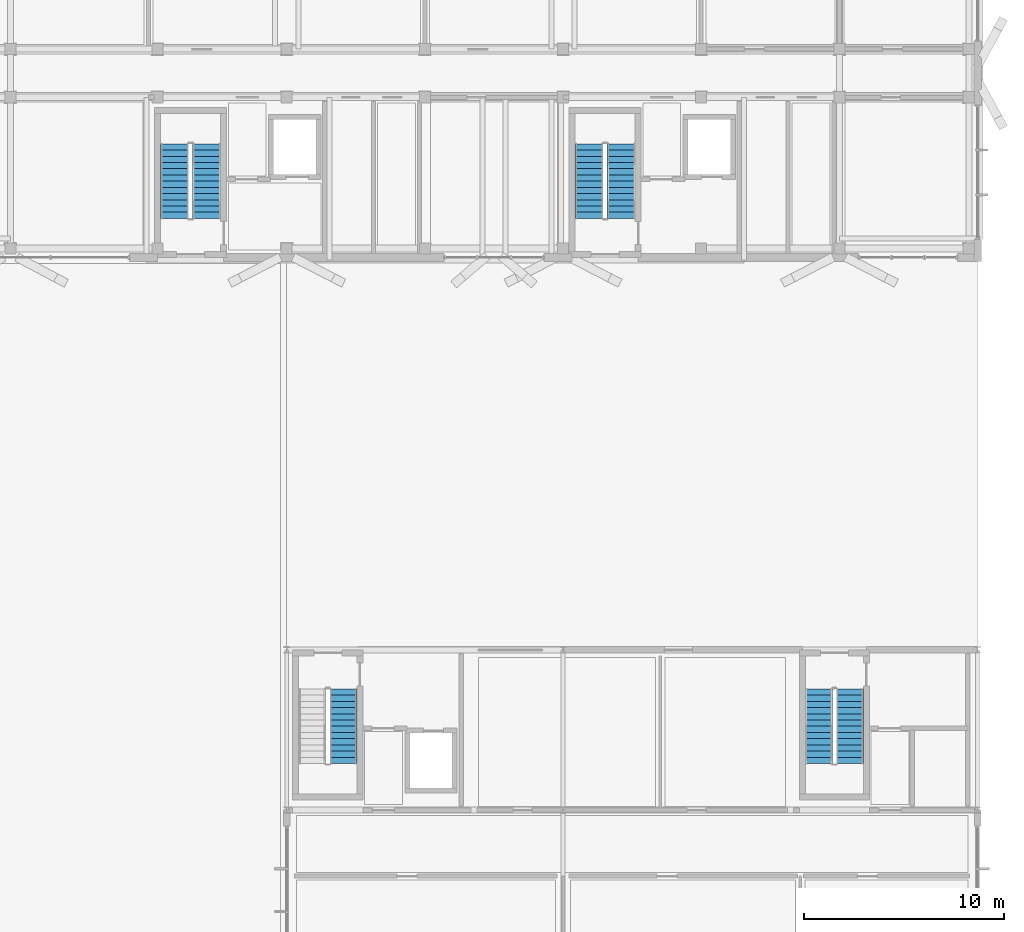
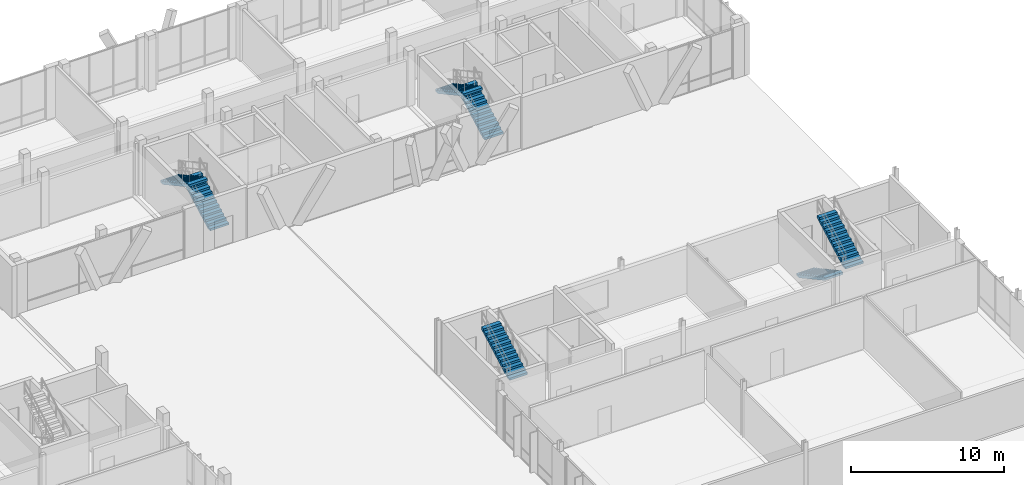
# One storey, part 207 of 233: 7 stair flights, 4 elements without a shape of their own.
"""IFC4 building model written with IfcOpenShell, lengths in metres."""

from ifc_helpers import new_model, si_unit, direction, frame, origin, place, context, subcontext, project, spatial, polyline, outline, extrude, material, type_object, element, aggregate, save


model = new_model("IFC4")

# Units and contexts
model_context = context("Model", 3, precision=1e-05, world=origin(), true_north=direction((0.0, 1.0)))
body_context = subcontext(model_context, "Body", "Model", "MODEL_VIEW")
ifc_project = project(units=[si_unit("LENGTHUNIT", "METRE"), si_unit("AREAUNIT", "SQUARE_METRE"), si_unit("VOLUMEUNIT", "CUBIC_METRE"), si_unit("PLANEANGLEUNIT", "RADIAN"), si_unit("MASSUNIT", "GRAM", prefix="KILO")], contexts=[model_context])

# Site, building, storey
site_placement = place(None, origin())
site = spatial("IfcSite", under=ifc_project, at=site_placement, CompositionType="ELEMENT")
building_placement = place(site_placement, origin())
building = spatial("IfcBuilding", under=site, at=building_placement, Name="Zavelmont Quarter", CompositionType="ELEMENT")
storey_placement = place(building_placement, origin())
storey = spatial("IfcBuildingStorey", under=building, at=storey_placement, Name="L00", CompositionType="ELEMENT", Elevation=0.0)

# Stair, stair flight
ifc_material = material(Name="Concrete C35/45", Category="concrete")
stair_type_1 = type_object("IfcStairType", Name="STR-1350-1692", PredefinedType="HALF_TURN_STAIR", material=ifc_material)
stair_1_placement = place(storey_placement, origin())
stair_1 = element("IfcStair", 1, at=stair_1_placement, inside=storey, type_object=stair_type_1, Name="L00 protected stair ST11", PredefinedType="HALF_TURN_STAIR")
stair_flight_type_1 = type_object("IfcStairFlightType", Name="STF-1350-1692", PredefinedType="STRAIGHT", material=ifc_material)
stair_flight_1_placement = place(storey_placement, frame((136.324951171875, 72.330078125, 2.199951171875), z_axis=(0.0, 0.0, 1.0), x_axis=(0.0, 1.0, 0.0)))
stair_flight_1 = element("IfcStairFlight", 2, at=stair_flight_1_placement, type_object=stair_flight_type_1, Name="ST11 flight 2", NumberOfRisers=13, NumberOfTreads=12, PredefinedType="STRAIGHT", RiserHeight=0.169230769, TreadLength=0.31, context=body_context, shape_type="SweptSolid", body=[
    extrude(outline(polyline([(0.0, 0.0), (0.0, 0.169189453125), (0.31005859375, 0.169189453125), (0.31005859375, 0.33837890625), (0.6201171875, 0.33837890625), (0.6201171875, 0.5078125), (0.929931640625, 0.5078125), (0.929931640625, 0.677001953125), (1.239990234375, 0.677001953125), (1.239990234375, 0.84619140625), (1.550048828125, 0.84619140625), (1.550048828125, 1.015380859375), (1.860107421875, 1.015380859375), (1.860107421875, 1.1845703125), (2.169921875, 1.1845703125), (2.169921875, 1.353759765625), (2.47998046875, 1.353759765625), (2.47998046875, 1.523193359375), (2.7900390625, 1.523193359375), (2.7900390625, 1.6923828125), (3.10009765625, 1.6923828125), (3.10009765625, 1.861572265625), (3.409912109375, 1.861572265625), (3.409912109375, 2.03076171875), (3.719970703125, 2.03076171875), (3.719970703125, 2.199951171875), (3.719970703125, 1.8486328125), (0.333740234375, 0.0), (0.0, 0.0)])), frame((0.0, 0.675048828125, 0.0), z_axis=(0.0, -1.0, 0.0), x_axis=(1.0, 0.0, 0.0)), (0.0, 0.0, 1.0), 1.35009765625),
])
aggregate(stair_1, [stair_flight_1])

# Stair, stair flights
stair_2_placement = place(storey_placement, origin())
stair_2 = element("IfcStair", 3, at=stair_2_placement, inside=storey, type_object=stair_type_1, Name="L00 protected stair ST12", PredefinedType="HALF_TURN_STAIR")
stair_flight_2_placement = place(storey_placement, frame((160.074951171875, 76.050048828125, 0.0), z_axis=(0.0, 0.0, 1.0), x_axis=(0.0, -1.0, 0.0)))
stair_flight_2 = element("IfcStairFlight", 4, at=stair_flight_2_placement, type_object=stair_flight_type_1, Name="ST12 flight 1", NumberOfRisers=13, NumberOfTreads=12, PredefinedType="STRAIGHT", RiserHeight=0.169230769, TreadLength=0.31, context=body_context, shape_type="SweptSolid", body=[
    extrude(outline(polyline([(0.0, 0.0), (0.0, 0.169189453125), (0.31005859375, 0.169189453125), (0.31005859375, 0.33837890625), (0.6201171875, 0.33837890625), (0.6201171875, 0.5078125), (0.929931640625, 0.5078125), (0.929931640625, 0.677001953125), (1.239990234375, 0.677001953125), (1.239990234375, 0.84619140625), (1.550048828125, 0.84619140625), (1.550048828125, 1.015380859375), (1.860107421875, 1.015380859375), (1.860107421875, 1.1845703125), (2.169921875, 1.1845703125), (2.169921875, 1.353759765625), (2.47998046875, 1.353759765625), (2.47998046875, 1.523193359375), (2.7900390625, 1.523193359375), (2.7900390625, 1.6923828125), (3.10009765625, 1.6923828125), (3.10009765625, 1.861572265625), (3.409912109375, 1.861572265625), (3.409912109375, 2.03076171875), (3.719970703125, 2.03076171875), (3.719970703125, 2.199951171875), (3.719970703125, 1.8486328125), (0.333740234375, 0.0), (0.0, 0.0)])), frame((0.0, 0.675048828125, 0.0), z_axis=(0.0, -1.0, 0.0), x_axis=(1.0, 0.0, 0.0)), (0.0, 0.0, 1.0), 1.35009765625),
])
stair_flight_3_placement = place(storey_placement, frame((161.625, 72.330078125, 2.199951171875), z_axis=(0.0, 0.0, 1.0), x_axis=(0.0, 1.0, 0.0)))
stair_flight_3 = element("IfcStairFlight", 5, at=stair_flight_3_placement, type_object=stair_flight_type_1, Name="ST12 flight 2", NumberOfRisers=13, NumberOfTreads=12, PredefinedType="STRAIGHT", RiserHeight=0.169230769, TreadLength=0.31, context=body_context, shape_type="SweptSolid", body=[
    extrude(outline(polyline([(0.0, 0.0), (0.0, 0.169189453125), (0.31005859375, 0.169189453125), (0.31005859375, 0.33837890625), (0.6201171875, 0.33837890625), (0.6201171875, 0.5078125), (0.929931640625, 0.5078125), (0.929931640625, 0.677001953125), (1.239990234375, 0.677001953125), (1.239990234375, 0.84619140625), (1.550048828125, 0.84619140625), (1.550048828125, 1.015380859375), (1.860107421875, 1.015380859375), (1.860107421875, 1.1845703125), (2.169921875, 1.1845703125), (2.169921875, 1.353759765625), (2.47998046875, 1.353759765625), (2.47998046875, 1.523193359375), (2.7900390625, 1.523193359375), (2.7900390625, 1.6923828125), (3.10009765625, 1.6923828125), (3.10009765625, 1.861572265625), (3.409912109375, 1.861572265625), (3.409912109375, 2.03076171875), (3.719970703125, 2.03076171875), (3.719970703125, 2.199951171875), (3.719970703125, 1.8486328125), (0.333740234375, 0.0), (0.0, 0.0)])), frame((0.0, 0.675048828125, 0.0), z_axis=(0.0, -1.0, 0.0), x_axis=(1.0, 0.0, 0.0)), (0.0, 0.0, 1.0), 1.35009765625),
])
aggregate(stair_2, [stair_flight_2, stair_flight_3])

stair_type_2 = type_object("IfcStairType", Name="STR-1400-1692", PredefinedType="HALF_TURN_STAIR", material=ifc_material)
stair_3_placement = place(storey_placement, origin())
stair_3 = element("IfcStair", 6, at=stair_3_placement, inside=storey, type_object=stair_type_2, Name="L00 protected stair ST05", PredefinedType="HALF_TURN_STAIR")
stair_flight_type_2 = type_object("IfcStairFlightType", Name="STF-1400-1692", PredefinedType="STRAIGHT", material=ifc_material)
stair_flight_4_placement = place(storey_placement, frame((129.5, 99.550048828125, 0.0), z_axis=(0.0, 0.0, 1.0), x_axis=(0.0, 1.0, 0.0)))
stair_flight_4 = element("IfcStairFlight", 7, at=stair_flight_4_placement, type_object=stair_flight_type_2, Name="ST05 flight 1", NumberOfRisers=13, NumberOfTreads=12, PredefinedType="STRAIGHT", RiserHeight=0.169230769, TreadLength=0.31, context=body_context, shape_type="SweptSolid", body=[
    extrude(outline(polyline([(0.0, 0.0), (0.0, 0.169189453125), (0.31005859375, 0.169189453125), (0.31005859375, 0.33837890625), (0.6201171875, 0.33837890625), (0.6201171875, 0.5078125), (0.929931640625, 0.5078125), (0.929931640625, 0.677001953125), (1.239990234375, 0.677001953125), (1.239990234375, 0.84619140625), (1.550048828125, 0.84619140625), (1.550048828125, 1.015380859375), (1.860107421875, 1.015380859375), (1.860107421875, 1.1845703125), (2.169921875, 1.1845703125), (2.169921875, 1.353759765625), (2.47998046875, 1.353759765625), (2.47998046875, 1.523193359375), (2.7900390625, 1.523193359375), (2.7900390625, 1.6923828125), (3.10009765625, 1.6923828125), (3.10009765625, 1.861572265625), (3.409912109375, 1.861572265625), (3.409912109375, 2.03076171875), (3.719970703125, 2.03076171875), (3.719970703125, 2.199951171875), (3.719970703125, 1.8486328125), (0.333740234375, 0.0), (0.0, 0.0)])), frame((0.0, 0.699951171875, 0.0), z_axis=(0.0, -1.0, 0.0), x_axis=(1.0, 0.0, 0.0)), (0.0, 0.0, 1.0), 1.39990234375),
])
stair_flight_5_placement = place(storey_placement, frame((127.89990234375, 103.27001953125, 2.199951171875), z_axis=(0.0, 0.0, 1.0), x_axis=(0.0, -1.0, 0.0)))
stair_flight_5 = element("IfcStairFlight", 8, at=stair_flight_5_placement, type_object=stair_flight_type_2, Name="ST05 flight 2", NumberOfRisers=13, NumberOfTreads=12, PredefinedType="STRAIGHT", RiserHeight=0.169230769, TreadLength=0.31, context=body_context, shape_type="SweptSolid", body=[
    extrude(outline(polyline([(0.0, 0.0), (0.0, 0.169189453125), (0.31005859375, 0.169189453125), (0.31005859375, 0.33837890625), (0.6201171875, 0.33837890625), (0.6201171875, 0.5078125), (0.929931640625, 0.5078125), (0.929931640625, 0.677001953125), (1.239990234375, 0.677001953125), (1.239990234375, 0.84619140625), (1.550048828125, 0.84619140625), (1.550048828125, 1.015380859375), (1.860107421875, 1.015380859375), (1.860107421875, 1.1845703125), (2.169921875, 1.1845703125), (2.169921875, 1.353759765625), (2.47998046875, 1.353759765625), (2.47998046875, 1.523193359375), (2.7900390625, 1.523193359375), (2.7900390625, 1.6923828125), (3.10009765625, 1.6923828125), (3.10009765625, 1.861572265625), (3.409912109375, 1.861572265625), (3.409912109375, 2.03076171875), (3.719970703125, 2.03076171875), (3.719970703125, 2.199951171875), (3.719970703125, 1.8486328125), (0.333740234375, 0.0), (0.0, 0.0)])), frame((0.0, 0.699951171875, 0.0), z_axis=(0.0, -1.0, 0.0), x_axis=(1.0, 0.0, 0.0)), (0.0, 0.0, 1.0), 1.39990234375),
])
aggregate(stair_3, [stair_flight_4, stair_flight_5])

stair_4_placement = place(storey_placement, origin())
stair_4 = element("IfcStair", 9, at=stair_4_placement, inside=storey, type_object=stair_type_2, Name="L00 protected stair ST06", PredefinedType="HALF_TURN_STAIR")
stair_flight_6_placement = place(storey_placement, frame((150.199951171875, 99.550048828125, 0.0), z_axis=(0.0, 0.0, 1.0), x_axis=(0.0, 1.0, 0.0)))
stair_flight_6 = element("IfcStairFlight", 10, at=stair_flight_6_placement, type_object=stair_flight_type_2, Name="ST06 flight 1", NumberOfRisers=13, NumberOfTreads=12, PredefinedType="STRAIGHT", RiserHeight=0.169230769, TreadLength=0.31, context=body_context, shape_type="SweptSolid", body=[
    extrude(outline(polyline([(0.0, 0.0), (0.0, 0.169189453125), (0.31005859375, 0.169189453125), (0.31005859375, 0.33837890625), (0.6201171875, 0.33837890625), (0.6201171875, 0.5078125), (0.929931640625, 0.5078125), (0.929931640625, 0.677001953125), (1.239990234375, 0.677001953125), (1.239990234375, 0.84619140625), (1.550048828125, 0.84619140625), (1.550048828125, 1.015380859375), (1.860107421875, 1.015380859375), (1.860107421875, 1.1845703125), (2.169921875, 1.1845703125), (2.169921875, 1.353759765625), (2.47998046875, 1.353759765625), (2.47998046875, 1.523193359375), (2.7900390625, 1.523193359375), (2.7900390625, 1.6923828125), (3.10009765625, 1.6923828125), (3.10009765625, 1.861572265625), (3.409912109375, 1.861572265625), (3.409912109375, 2.03076171875), (3.719970703125, 2.03076171875), (3.719970703125, 2.199951171875), (3.719970703125, 1.8486328125), (0.333740234375, 0.0), (0.0, 0.0)])), frame((0.0, 0.699951171875, 0.0), z_axis=(0.0, -1.0, 0.0), x_axis=(1.0, 0.0, 0.0)), (0.0, 0.0, 1.0), 1.39990234375),
])
stair_flight_7_placement = place(storey_placement, frame((148.60009765625, 103.27001953125, 2.199951171875), z_axis=(0.0, 0.0, 1.0), x_axis=(0.0, -1.0, 0.0)))
stair_flight_7 = element("IfcStairFlight", 11, at=stair_flight_7_placement, type_object=stair_flight_type_2, Name="ST06 flight 2", NumberOfRisers=13, NumberOfTreads=12, PredefinedType="STRAIGHT", RiserHeight=0.169230769, TreadLength=0.31, context=body_context, shape_type="SweptSolid", body=[
    extrude(outline(polyline([(0.0, 0.0), (0.0, 0.169189453125), (0.31005859375, 0.169189453125), (0.31005859375, 0.33837890625), (0.6201171875, 0.33837890625), (0.6201171875, 0.5078125), (0.929931640625, 0.5078125), (0.929931640625, 0.677001953125), (1.239990234375, 0.677001953125), (1.239990234375, 0.84619140625), (1.550048828125, 0.84619140625), (1.550048828125, 1.015380859375), (1.860107421875, 1.015380859375), (1.860107421875, 1.1845703125), (2.169921875, 1.1845703125), (2.169921875, 1.353759765625), (2.47998046875, 1.353759765625), (2.47998046875, 1.523193359375), (2.7900390625, 1.523193359375), (2.7900390625, 1.6923828125), (3.10009765625, 1.6923828125), (3.10009765625, 1.861572265625), (3.409912109375, 1.861572265625), (3.409912109375, 2.03076171875), (3.719970703125, 2.03076171875), (3.719970703125, 2.199951171875), (3.719970703125, 1.8486328125), (0.333740234375, 0.0), (0.0, 0.0)])), frame((0.0, 0.699951171875, 0.0), z_axis=(0.0, -1.0, 0.0), x_axis=(1.0, 0.0, 0.0)), (0.0, 0.0, 1.0), 1.39990234375),
])
aggregate(stair_4, [stair_flight_6, stair_flight_7])

save(model, "model.ifc")
